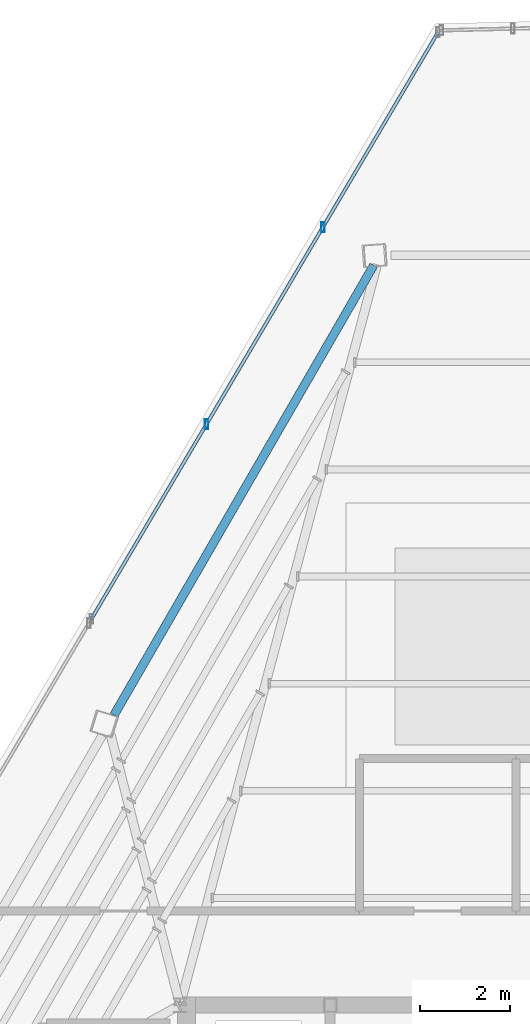
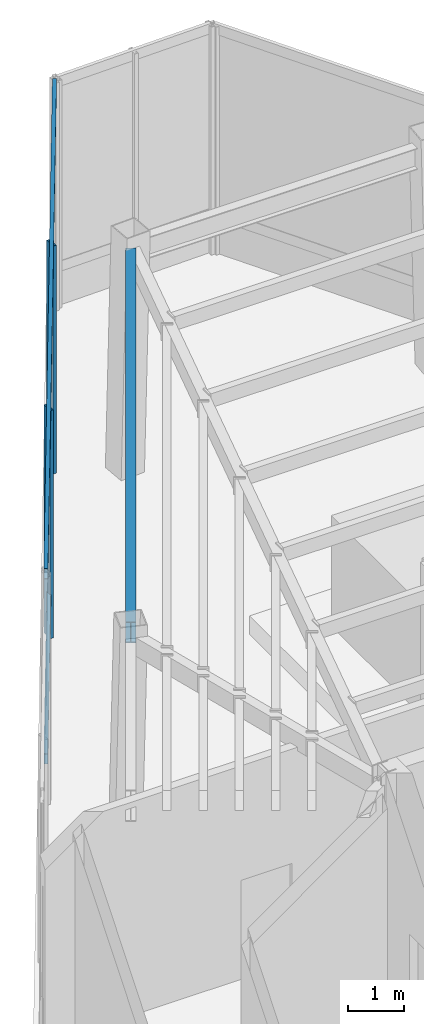
# One storey, part 16 of 25: 4 members, 1 beam, 1 element without a shape of its own.
"""IFC4 building model written with IfcOpenShell, lengths in metres."""

from ifc_helpers import new_model, si_unit, direction, frame, origin, origin_2d, place, context, subcontext, project, spatial, hollow_rectangle, i_section, extrude, source, transform, mapped, material, material_profile, profile_set, type_object, type_shapes, element, aggregate, save


model = new_model("IFC4")

# Units and contexts
model_context = context("Model", 3, precision=1e-05, world=origin(), true_north=direction((0.0, 1.0)))
body_context = subcontext(model_context, "Body", "Model", "MODEL_VIEW")
ifc_project = project(units=[si_unit("LENGTHUNIT", "METRE"), si_unit("AREAUNIT", "SQUARE_METRE"), si_unit("VOLUMEUNIT", "CUBIC_METRE"), si_unit("PLANEANGLEUNIT", "RADIAN"), si_unit("MASSUNIT", "GRAM", prefix="KILO")], contexts=[model_context])

# Site, building, storey
site_placement = place(None, origin())
site = spatial("IfcSite", under=ifc_project, at=site_placement, CompositionType="ELEMENT")
building_placement = place(site_placement, origin())
building = spatial("IfcBuilding", under=site, at=building_placement, Name="Caelisora Broadcast Tower", CompositionType="ELEMENT")
storey_placement = place(building_placement, frame((0.0, 0.0, 284.60009765625)))
storey = spatial("IfcBuildingStorey", under=building, at=storey_placement, Name="L75", CompositionType="ELEMENT", Elevation=284.60009765625)

# Beam
ifc_material_1 = material(Name="Steel Grade 350 (AS/NZS 3679.1)", Category="steel")
ifc_material_profile_1 = material_profile(ifc_material_1, i_section(OverallWidth=0.19091796875, OverallDepth=0.46044921875, WebThickness=0.010009765625, FlangeThickness=0.01611328125, at=origin_2d()), Name="Steel Grade 350 (AS/NZS 3679.1)")
ifc_profile_set_1 = profile_set([ifc_material_profile_1], Name="Steel Grade 350 (AS/NZS 3679.1)")
beam_type = type_object("IfcBeamType", Name="PG06", PredefinedType="BEAM", material=ifc_profile_set_1)
shared_shape_1 = source(origin(), body_context, "Body", "SweptSolid", [
    extrude(i_section(OverallWidth=0.19091796875, OverallDepth=0.46044921875, WebThickness=0.010009765625, FlangeThickness=0.01611328125, at=origin_2d()), origin(), (0.0, 0.0, 1.0), 11.5888671875),
])
type_shapes(beam_type, [shared_shape_1])
beam_placement = place(storey_placement, frame((34.82177734375, 46.50830078125, 4.7197265625), z_axis=(-0.499995382986, -0.866028069402, 0.0), x_axis=(0.866028069402, -0.499995382986, 0.0)))
element("IfcBeam", 1, at=beam_placement, inside=storey, type_object=beam_type, Name="L75 beam PG06", PredefinedType="BEAM", context=body_context, shape_type="MappedRepresentation", body=[
    mapped(shared_shape_1, transform((0.0, 0.0, 0.0), scale=1.0)),
])

# Curtain wall, members
ifc_material_2 = material(Name="Unitised Aluminium and Low-E Glass Curtain Wall", Category="glass")
curtain_wall_type = type_object("IfcCurtainWallType", Name="CW-TMD", PredefinedType="NOTDEFINED", material=ifc_material_2)
curtain_wall_placement = place(storey_placement, origin())
curtain_wall = element("IfcCurtainWall", 2, at=curtain_wall_placement, inside=storey, type_object=curtain_wall_type, Name="L75 curtain wall CW-TMD", PredefinedType="NOTDEFINED")
ifc_material_3 = material(Name="Aluminium 6063-T6 Anodised Terracotta Bronze", Category="aluminium")
ifc_material_profile_2 = material_profile(ifc_material_3, hollow_rectangle(XDim=0.074951171875, YDim=0.219970703125, WallThickness=0.00390625, at=origin_2d()), Name="Aluminium 6063-T6 Anodised Terracotta Bronze")
ifc_profile_set_2 = profile_set([ifc_material_profile_2], Name="Aluminium 6063-T6 Anodised Terracotta Bronze")
member_type_1 = type_object("IfcMemberType", Name="CWM-01", PredefinedType="MULLION", material=ifc_profile_set_2)
shared_shape_2 = source(origin(), body_context, "Body", "SweptSolid", [
    extrude(hollow_rectangle(XDim=0.074951171875, YDim=0.219970703125, WallThickness=0.00390625, at=origin_2d()), origin(), (0.0, 0.0, 1.0), 4.949951171875),
])
type_shapes(member_type_1, [shared_shape_2])
member_1_placement = place(storey_placement, frame((31.091796875, 42.96337890625, 0.0), z_axis=(0.0, 0.0, 1.0), x_axis=(1.0, 0.0, 0.0)))
member_1 = element("IfcMember", 3, at=member_1_placement, type_object=member_type_1, Name="L75-CW-B11 mullion #1", PredefinedType="MULLION", context=body_context, shape_type="MappedRepresentation", body=[
    mapped(shared_shape_2, transform((0.0, 0.0, 0.0), scale=1.0)),
])
member_2_placement = place(storey_placement, frame((33.6875, 47.356201171875, 0.0), z_axis=(0.0, 0.0, 1.0), x_axis=(1.0, 0.0, 0.0)))
member_2 = element("IfcMember", 4, at=member_2_placement, type_object=member_type_1, Name="L75-CW-B11 mullion #2", PredefinedType="MULLION", context=body_context, shape_type="MappedRepresentation", body=[
    mapped(shared_shape_2, transform((0.0, 0.0, 0.0), scale=1.0)),
])
ifc_material_profile_3 = material_profile(ifc_material_3, hollow_rectangle(XDim=0.074951171875, YDim=0.219970703125, WallThickness=0.00390625, at=origin_2d()), Name="Aluminium 6063-T6 Anodised Terracotta Bronze")
ifc_profile_set_3 = profile_set([ifc_material_profile_3], Name="Aluminium 6063-T6 Anodised Terracotta Bronze")
member_type_2 = type_object("IfcMemberType", Name="CWT-04", PredefinedType="USERDEFINED", material=ifc_profile_set_3)
shared_shape_3 = source(origin(), body_context, "Body", "SweptSolid", [
    extrude(hollow_rectangle(XDim=0.074951171875, YDim=0.219970703125, WallThickness=0.00390625, at=origin_2d()), origin(), (0.0, 0.0, 1.0), 15.20703125),
])
type_shapes(member_type_2, [shared_shape_3])
member_3_placement = place(storey_placement, frame((28.521484375, 38.61376953125, 0.849853515625), z_axis=(0.508716330855, 0.860934198834, 0.0), x_axis=(-0.860934198834, 0.508716330855, 0.0)))
member_3 = element("IfcMember", 5, at=member_3_placement, type_object=member_type_2, Name="L75-CW-B11 transom #1", ObjectType="TRANSOM", PredefinedType="USERDEFINED", context=body_context, shape_type="MappedRepresentation", body=[
    mapped(shared_shape_3, transform((0.0, 0.0, 0.0), scale=1.0)),
])
member_4_placement = place(storey_placement, frame((28.521484375, 38.61376953125, 4.869873046875), z_axis=(0.508716330855, 0.860934198834, 0.0), x_axis=(-0.860934198834, 0.508716330855, 0.0)))
member_4 = element("IfcMember", 6, at=member_4_placement, type_object=member_type_2, Name="L75-CW-B11 transom #2", ObjectType="TRANSOM", PredefinedType="USERDEFINED", context=body_context, shape_type="MappedRepresentation", body=[
    mapped(shared_shape_3, transform((0.0, 0.0, 0.0), scale=1.0)),
])
aggregate(curtain_wall, [member_1, member_2, member_3, member_4])

save(model, "model.ifc")
